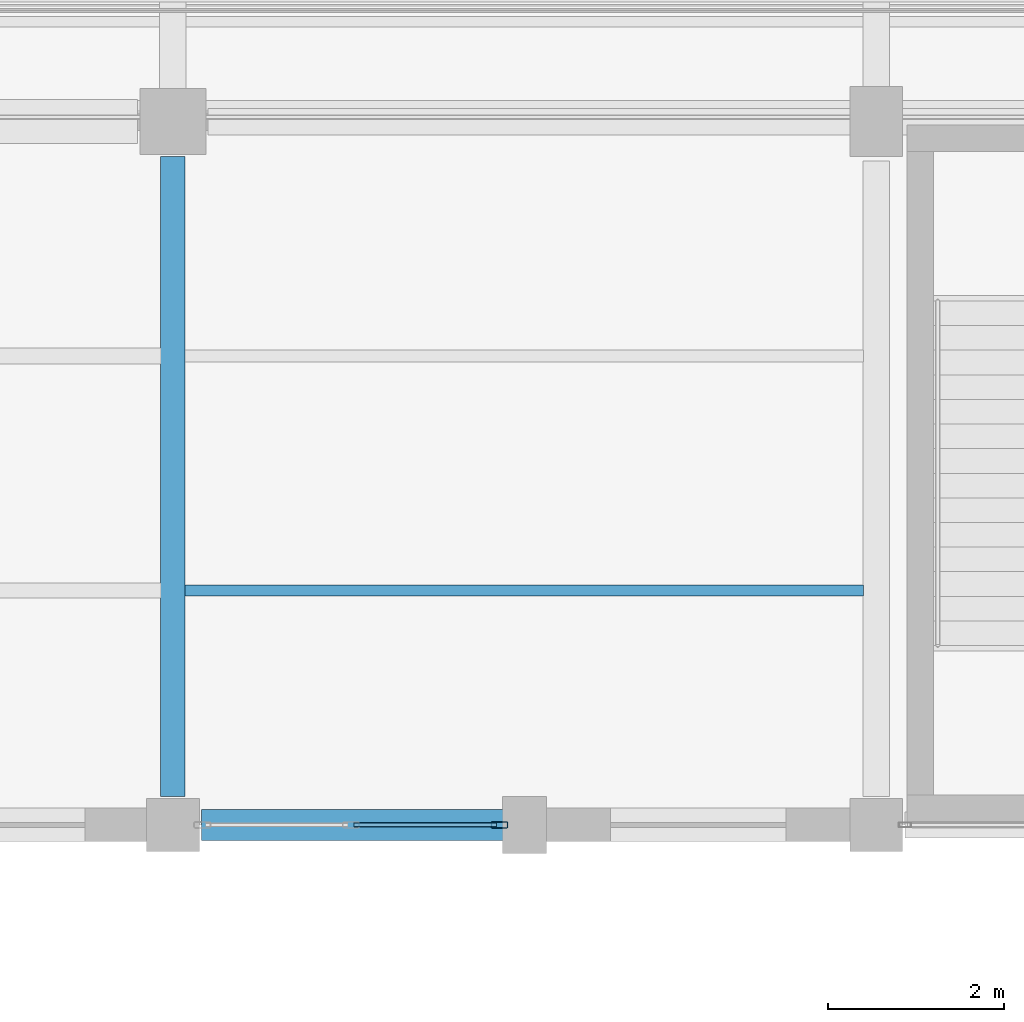
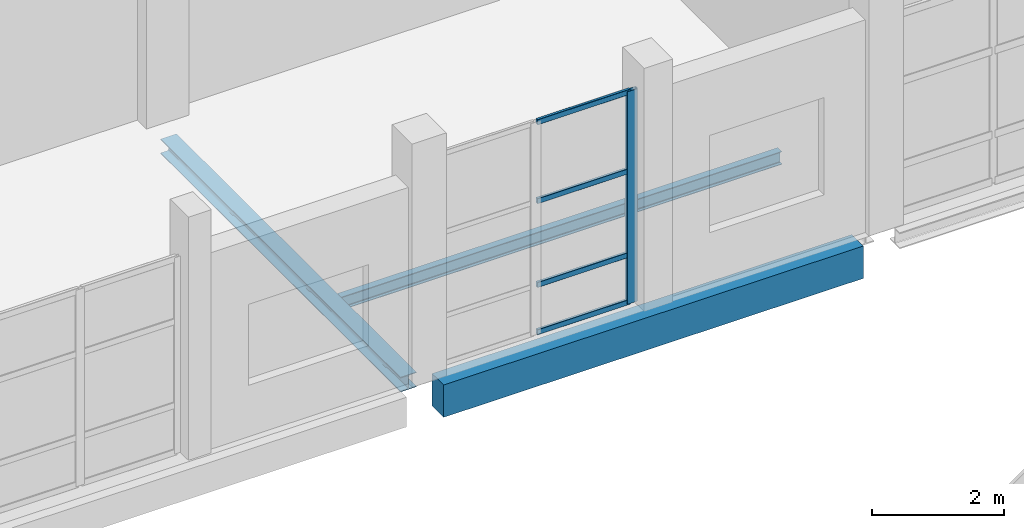
# One storey, part 41 of 183: 5 members, 3 beams, 1 element without a shape of its own.
"""IFC4 building model written with IfcOpenShell, lengths in metres."""

from ifc_helpers import new_model, si_unit, direction, frame, origin, origin_2d, place, context, subcontext, project, spatial, rectangle, hollow_rectangle, i_section, extrude, material, material_profile, profile_set, type_object, element, aggregate, save


model = new_model("IFC4")

# Units and contexts
model_context = context("Model", 3, precision=1e-05, world=origin(), true_north=direction((0.0, 1.0)))
body_context = subcontext(model_context, "Body", "Model", "MODEL_VIEW")
ifc_project = project(units=[si_unit("LENGTHUNIT", "METRE"), si_unit("AREAUNIT", "SQUARE_METRE"), si_unit("VOLUMEUNIT", "CUBIC_METRE"), si_unit("PLANEANGLEUNIT", "RADIAN"), si_unit("MASSUNIT", "GRAM", prefix="KILO")], contexts=[model_context])

# Site, building, storey
site_placement = place(None, origin())
site = spatial("IfcSite", under=ifc_project, at=site_placement, CompositionType="ELEMENT")
building_placement = place(site_placement, origin())
building = spatial("IfcBuilding", under=site, at=building_placement, Name="Luwemba Playhouse", CompositionType="ELEMENT")
storey_placement = place(building_placement, frame((0.0, 0.0, 4.800048828125)))
storey = spatial("IfcBuildingStorey", under=building, at=storey_placement, Name="L01", CompositionType="ELEMENT", Elevation=4.800048828125)

# Beams
ifc_material_1 = material(Name="Steel S355", Category="steel")
ifc_material_profile_1 = material_profile(ifc_material_1, i_section(OverallWidth=0.280029296875, OverallDepth=0.27001953125, WebThickness=0.008056640625, FlangeThickness=0.012939453125, FilletRadius=0.02392578125, at=origin_2d()))
ifc_profile_set_1 = profile_set([ifc_material_profile_1], Name="Steel S355")
beam_type_1 = type_object("IfcBeamType", Name="BM-SB02", PredefinedType="BEAM", material=ifc_profile_set_1)
beam_1_placement = place(storey_placement, frame((28.0, 36.324951171875, -0.385009765625), z_axis=(0.0, 1.0, 0.0), x_axis=(-1.0, 0.0, 0.0)))
element("IfcBeam", 1, at=beam_1_placement, inside=storey, type_object=beam_type_1, Name="L01 transverse girder 0365", PredefinedType="BEAM", context=body_context, shape_type="SweptSolid", body=[
    extrude(i_section(OverallWidth=0.280029296875, OverallDepth=0.27001953125, WebThickness=0.008056640625, FlangeThickness=0.012939453125, FilletRadius=0.02392578125, at=origin_2d()), origin(), (0.0, 0.0, 1.0), 7.275146484375),
])
ifc_material_profile_2 = material_profile(ifc_material_1, i_section(OverallWidth=0.1201171875, OverallDepth=0.239990234375, WebThickness=0.006103515625, FlangeThickness=0.009765625, FilletRadius=0.014892578125, at=origin_2d()))
ifc_profile_set_2 = profile_set([ifc_material_profile_2], Name="Steel S355")
beam_type_2 = type_object("IfcBeamType", Name="BM-SJ03", PredefinedType="JOIST", material=ifc_profile_set_2)
beam_2_placement = place(storey_placement, frame((28.135986328125, 38.666748046875, -0.3701171875), z_axis=(1.0, 0.0, 0.0), x_axis=(0.0, 1.0, 0.0)))
element("IfcBeam", 2, at=beam_2_placement, inside=storey, type_object=beam_type_2, Name="L01 composite floor joist 0244", PredefinedType="JOIST", context=body_context, shape_type="SweptSolid", body=[
    extrude(i_section(OverallWidth=0.1201171875, OverallDepth=0.239990234375, WebThickness=0.006103515625, FlangeThickness=0.009765625, FilletRadius=0.014892578125, at=origin_2d()), origin(), (0.0, 0.0, 1.0), 7.718017578125),
])
ifc_material_2 = material(Name="Concrete C40/50", Category="concrete")
ifc_material_profile_3 = material_profile(ifc_material_2, rectangle(XDim=0.35009765625, YDim=0.60009765625, at=origin_2d()))
ifc_profile_set_3 = profile_set([ifc_material_profile_3], Name="Concrete C40/50")
beam_type_3 = type_object("IfcBeamType", Name="BM-SP3", PredefinedType="SPANDREL", material=ifc_profile_set_3)
beam_3_placement = place(storey_placement, frame((28.324951171875, 36.0, -0.550048828125), z_axis=(1.0, 0.0, 0.0), x_axis=(0.0, 1.0, 0.0)))
element("IfcBeam", 3, at=beam_3_placement, inside=storey, type_object=beam_type_3, Name="L01 grid girder 0342", PredefinedType="SPANDREL", context=body_context, shape_type="SweptSolid", body=[
    extrude(rectangle(XDim=0.35009765625, YDim=0.60009765625, at=origin_2d()), origin(), (0.0, 0.0, 1.0), 7.35009765625),
])

# Curtain wall, members
ifc_material_3 = material(Name="Solar-control double glazing", Category="glass")
curtain_wall_type = type_object("IfcCurtainWallType", Name="CW-CW63", PredefinedType="USERDEFINED", material=ifc_material_3)
curtain_wall_placement = place(storey_placement, origin())
curtain_wall = element("IfcCurtainWall", 4, at=curtain_wall_placement, inside=storey, type_object=curtain_wall_type, Name="L01 V1 unitised curtain wall 101", ObjectType="UNITISED GLAZING", PredefinedType="USERDEFINED")
ifc_material_4 = material(Name="Aluminium 6063-T6", Category="aluminium")
ifc_material_profile_4 = material_profile(ifc_material_4, hollow_rectangle(XDim=0.070068359375, YDim=0.18994140625, WallThickness=0.0048828125, InnerFilletRadius=0.007568359375, OuterFilletRadius=0.012451171875, at=origin_2d()))
ifc_profile_set_4 = profile_set([ifc_material_profile_4], Name="Aluminium 6063-T6")
member_type_1 = type_object("IfcMemberType", Name="CWM-M4", PredefinedType="MULLION", material=ifc_profile_set_4)
member_1_placement = place(storey_placement, frame((31.715087890625, 36.0, 0.0), z_axis=(0.0, 0.0, 1.0), x_axis=(0.0, -1.0, 0.0)))
member_1 = element("IfcMember", 5, at=member_1_placement, type_object=member_type_1, Name="CW63 mullion 1", PredefinedType="MULLION", context=body_context, shape_type="SweptSolid", body=[
    extrude(hollow_rectangle(XDim=0.070068359375, YDim=0.18994140625, WallThickness=0.0048828125, InnerFilletRadius=0.007568359375, OuterFilletRadius=0.012451171875, at=origin_2d()), origin(), (0.0, 0.0, 1.0), 3.93505859375),
])
ifc_material_profile_5 = material_profile(ifc_material_4, hollow_rectangle(XDim=0.050048828125, YDim=0.10009765625, WallThickness=0.00341796875, InnerFilletRadius=0.00537109375, OuterFilletRadius=0.0087890625, at=origin_2d()))
ifc_profile_set_5 = profile_set([ifc_material_profile_5], Name="Aluminium 6063-T6")
member_type_2 = type_object("IfcMemberType", Name="CWT-T4", PredefinedType="USERDEFINED", material=ifc_profile_set_5)
member_2_placement = place(storey_placement, frame((31.679931640625, 36.0, 0.02490234375), z_axis=(-1.0, 0.0, 0.0), x_axis=(0.0, -1.0, 0.0)))
member_2 = element("IfcMember", 6, at=member_2_placement, type_object=member_type_2, Name="CW63 transom 1.1", ObjectType="TRANSOM", PredefinedType="USERDEFINED", context=body_context, shape_type="SweptSolid", body=[
    extrude(hollow_rectangle(XDim=0.050048828125, YDim=0.10009765625, WallThickness=0.00341796875, InnerFilletRadius=0.00537109375, OuterFilletRadius=0.0087890625, at=origin_2d()), origin(), (0.0, 0.0, 1.0), 1.619873046875),
])
member_3_placement = place(storey_placement, frame((31.679931640625, 36.0, 0.89990234375), z_axis=(-1.0, 0.0, 0.0), x_axis=(0.0, -1.0, 0.0)))
member_3 = element("IfcMember", 7, at=member_3_placement, type_object=member_type_2, Name="CW63 transom 1.2", ObjectType="TRANSOM", PredefinedType="USERDEFINED", context=body_context, shape_type="SweptSolid", body=[
    extrude(hollow_rectangle(XDim=0.050048828125, YDim=0.10009765625, WallThickness=0.00341796875, InnerFilletRadius=0.00537109375, OuterFilletRadius=0.0087890625, at=origin_2d()), origin(), (0.0, 0.0, 1.0), 1.619873046875),
])
member_4_placement = place(storey_placement, frame((31.679931640625, 36.0, 2.449951171875), z_axis=(-1.0, 0.0, 0.0), x_axis=(0.0, -1.0, 0.0)))
member_4 = element("IfcMember", 8, at=member_4_placement, type_object=member_type_2, Name="CW63 transom 1.3", ObjectType="TRANSOM", PredefinedType="USERDEFINED", context=body_context, shape_type="SweptSolid", body=[
    extrude(hollow_rectangle(XDim=0.050048828125, YDim=0.10009765625, WallThickness=0.00341796875, InnerFilletRadius=0.00537109375, OuterFilletRadius=0.0087890625, at=origin_2d()), origin(), (0.0, 0.0, 1.0), 1.619873046875),
])
member_5_placement = place(storey_placement, frame((31.679931640625, 36.0, 3.909912109375), z_axis=(-1.0, 0.0, 0.0), x_axis=(0.0, -1.0, 0.0)))
member_5 = element("IfcMember", 9, at=member_5_placement, type_object=member_type_2, Name="CW63 transom 1.4", ObjectType="TRANSOM", PredefinedType="USERDEFINED", context=body_context, shape_type="SweptSolid", body=[
    extrude(hollow_rectangle(XDim=0.050048828125, YDim=0.10009765625, WallThickness=0.00341796875, InnerFilletRadius=0.00537109375, OuterFilletRadius=0.0087890625, at=origin_2d()), origin(), (0.0, 0.0, 1.0), 1.619873046875),
])
aggregate(curtain_wall, [member_1, member_2, member_3, member_4, member_5])

save(model, "model.ifc")
